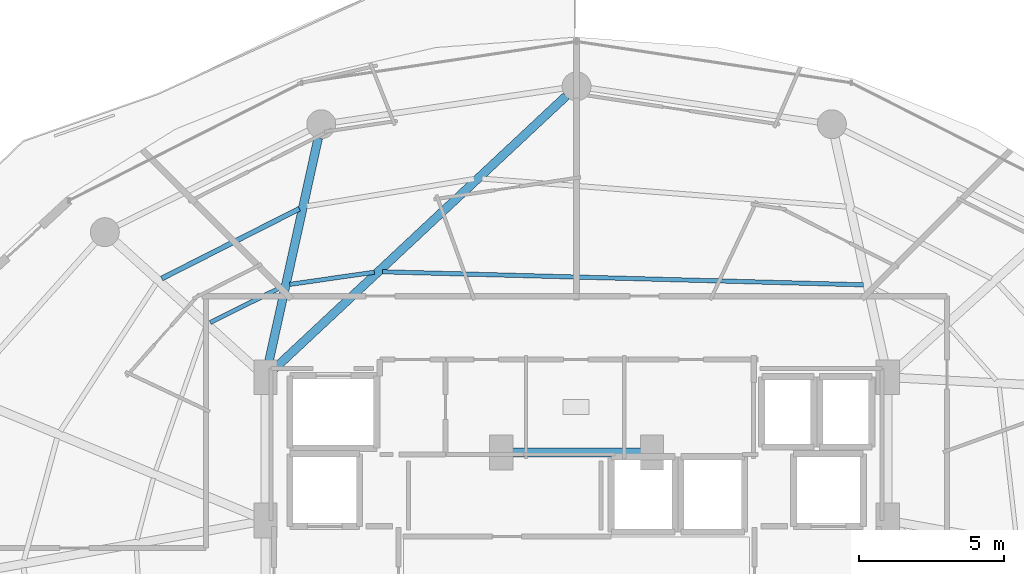
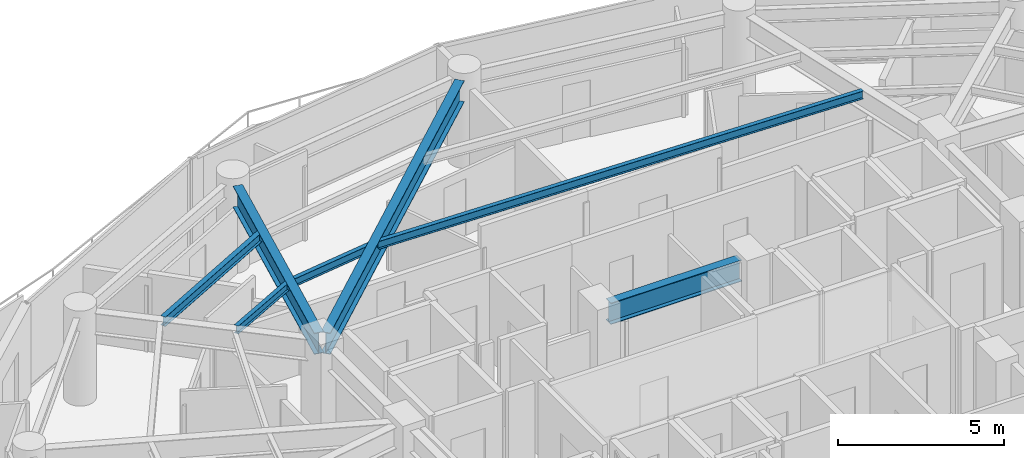
# One storey, part 10 of 31: 7 beams.
"""IFC4 building model written with IfcOpenShell, lengths in metres."""

import ifcopenshell
import ifcopenshell.guid

model = None  # the IFC model being written
_history = None  # IfcOwnerHistory: only IFC2X3 demands one
_inside = {}  # id of a spatial element -> (the spatial element, [elements in it])
_under = {}  # id of a project, library or spatial element -> (it, [spatial elements below it])
_declared = {}  # id of a project -> (the project, [libraries it declares])
_typed = {}  # id of a type object -> (the type object, [elements of that type])
_made_of = {}  # id of a material, layer set ... -> (it, [elements and type objects made of it])


def new_model(schema):
    """Start an empty IFC model of exactly this schema.

    Asked for "IFC4X3", IfcOpenShell would pick the latest addendum, in which some entities
    have other attributes; the version numbers below select the first issue.
    IFC2X3 requires an IfcOwnerHistory on every rooted entity: one is made here for all.
    """
    global model, _history
    if schema == "IFC4X3":
        model = ifcopenshell.file(schema_version=(4, 3, 0, 0))
    else:
        model = ifcopenshell.file(schema=schema)
    _inside.clear()
    _under.clear()
    _declared.clear()
    _typed.clear()
    _made_of.clear()
    _history = None
    if model.schema == "IFC2X3":
        org = make("IfcOrganization", Name="unknown")
        user = make(
            "IfcPersonAndOrganization",
            ThePerson=make("IfcPerson", FamilyName="unknown"),
            TheOrganization=org,
        )
        app = make(
            "IfcApplication",
            ApplicationDeveloper=org,
            Version="unknown",
            ApplicationFullName="unknown",
            ApplicationIdentifier="unknown",
        )
        _history = make(
            "IfcOwnerHistory",
            OwningUser=user,
            OwningApplication=app,
            ChangeAction="ADDED",
            CreationDate=0,
        )
    return model


def make(cls, **values):
    """One entity of the class cls with the attributes given. An attribute that is None is left unset."""
    return model.create_entity(
        cls, **{name: value for name, value in values.items() if value is not None}
    )


def rooted(cls, **values):
    """An entity with a GlobalId (a new one), such as an element, a storey or a relation."""
    return make(cls, GlobalId=ifcopenshell.guid.new(), OwnerHistory=_history, **values)


def si_unit(unit_type, name, prefix=None):
    """IfcSIUnit, for example si_unit("LENGTHUNIT", "METRE", prefix="MILLI")."""
    return make("IfcSIUnit", UnitType=unit_type, Prefix=prefix, Name=name)


def assignment(units):
    """IfcUnitAssignment: the units of a project."""
    return None if units is None else make("IfcUnitAssignment", Units=units)


def point(xyz):
    """IfcCartesianPoint."""
    return None if xyz is None else make("IfcCartesianPoint", Coordinates=xyz)


def direction(xyz):
    """IfcDirection."""
    return None if xyz is None else make("IfcDirection", DirectionRatios=xyz)


def frame(location, z_axis=None, x_axis=None):
    """IfcAxis2Placement3D, a coordinate frame: its origin and axes. An axis left out is left unset."""
    return make(
        "IfcAxis2Placement3D",
        Location=point(location),
        Axis=direction(z_axis),
        RefDirection=direction(x_axis),
    )


def frame_2d(location, x_axis=None):
    """IfcAxis2Placement2D, a coordinate frame in the plane: its origin and x axis."""
    return make(
        "IfcAxis2Placement2D", Location=point(location), RefDirection=direction(x_axis)
    )


def origin():
    """The frame at (0, 0, 0) with its axes left unset."""
    return frame((0.0, 0.0, 0.0))


def origin_2d():
    """The frame at (0, 0) in the plane with its x axis left unset."""
    return frame_2d((0.0, 0.0))


def place(relative_to, where):
    """IfcLocalPlacement: puts the frame where relative to a parent placement (None: the world)."""
    return make(
        "IfcLocalPlacement", PlacementRelTo=relative_to, RelativePlacement=where
    )


def context(
    kind, dimensions, precision=None, world=None, true_north=None, identifier=None
):
    """IfcGeometricRepresentationContext, for example the 3D "Model" context."""
    return make(
        "IfcGeometricRepresentationContext",
        ContextIdentifier=identifier,
        ContextType=kind,
        CoordinateSpaceDimension=dimensions,
        Precision=precision,
        WorldCoordinateSystem=world,
        TrueNorth=true_north,
    )


def subcontext(parent, identifier, kind, view, scale=None):
    """IfcGeometricRepresentationSubContext, for example "Body" below "Model"."""
    return make(
        "IfcGeometricRepresentationSubContext",
        ContextIdentifier=identifier,
        ContextType=kind,
        ParentContext=parent,
        TargetScale=scale,
        TargetView=view,
    )


def project(units=None, contexts=None):
    """IfcProject with its units and contexts."""
    return rooted(
        "IfcProject",
        Name="project",
        RepresentationContexts=contexts,
        UnitsInContext=assignment(units),
    )


def spatial(cls, under=None, at=None, **own):
    """A site, building, storey or space (cls), placed at a placement, below another one or the project."""
    s = rooted(cls, ObjectPlacement=at, **own)
    if under is not None:
        _under.setdefault(under.id(), (under, []))[1].append(s)
    return s


def profile(cls, at=None, kind="AREA", **sizes):
    """A parametric profile (cls). Its sizes go by their IFC names, for example OverallWidth=200.0."""
    return make(cls, ProfileType=kind, Position=at, **sizes)


def i_section(**sizes):
    """IfcIShapeProfileDef."""
    return profile("IfcIShapeProfileDef", **sizes)


def extrude(swept, where, along, depth):
    """IfcExtrudedAreaSolid: the profile swept, set in the frame where, extruded along a direction by depth."""
    return make(
        "IfcExtrudedAreaSolid",
        SweptArea=swept,
        Position=where,
        ExtrudedDirection=direction(along),
        Depth=depth,
    )


def shape(context_of_items, identifier, shape_type, items):
    """IfcShapeRepresentation: the items that make up one representation, for example the "Body"."""
    return make(
        "IfcShapeRepresentation",
        ContextOfItems=context_of_items,
        RepresentationIdentifier=identifier,
        RepresentationType=shape_type,
        Items=items,
    )


def material(Name=None, Category=None):
    """IfcMaterial."""
    return make("IfcMaterial", Name=Name, Category=Category)


def material_profile(
    of_material, cross_section, Name=None, Category=None, Priority=None
):
    """IfcMaterialProfile: a cross section and its material."""
    return make(
        "IfcMaterialProfile",
        Name=Name,
        Material=of_material,
        Profile=cross_section,
        Priority=Priority,
        Category=Category,
    )


def profile_set(profiles, Name=None, composite=None):
    """IfcMaterialProfileSet."""
    return make(
        "IfcMaterialProfileSet",
        Name=Name,
        MaterialProfiles=profiles,
        CompositeProfile=composite,
    )


def made_of(thing, what):
    """Note that an element or type object is made of a material, layer set ...; save() writes the relation."""
    if what is not None:
        _made_of.setdefault(what.id(), (what, []))[1].append(thing)
    return thing


def type_object(cls, material=None, **own):
    """A type object (cls), such as IfcWallType, which elements share."""
    return made_of(rooted(cls, **own), material)


def element(
    cls,
    number,
    at=None,
    inside=None,
    cuts=None,
    type_object=None,
    material=None,
    context=None,
    identifier="Body",
    shape_type=None,
    held_by="IfcProductDefinitionShape",
    body=None,
    shapes=None,
    **own,
):
    """One element of the class cls, such as IfcWall. Its Tag is "e" and its number.

    at: its placement. inside: the storey or other place that contains it. cuts: it is an
    opening in that element (IfcRelVoidsElement). A single representation is given by context,
    identifier, shape_type and body (its items); several are given by shapes. held_by: the class
    of the entity that holds the representations. save() writes the other relations.
    """
    e = rooted(cls, Tag="e%d" % number, ObjectPlacement=at, **own)
    if body is not None:
        shapes = [shape(context, identifier, shape_type, body)]
    if shapes is not None:
        e.Representation = make(held_by, Representations=shapes)
    if inside is not None:
        _inside.setdefault(inside.id(), (inside, []))[1].append(e)
    if cuts is not None:
        rooted(
            "IfcRelVoidsElement", RelatingBuildingElement=cuts, RelatedOpeningElement=e
        )
    if type_object is not None:
        _typed.setdefault(type_object.id(), (type_object, []))[1].append(e)
    return made_of(e, material)


def aggregate(whole, parts):
    """IfcRelAggregates: a whole, such as a stair, and the parts it consists of."""
    return rooted("IfcRelAggregates", RelatingObject=whole, RelatedObjects=parts)


def save(model, path):
    """Write the relations noted so far, then the file.

    IfcRelAggregates (storeys below a building ...), IfcRelContainedInSpatialStructure (elements
    in a storey), IfcRelDefinesByType, IfcRelAssociatesMaterial and IfcRelDeclares: one each for
    every whole, place, type object, material and project.
    """
    for whole, parts in _under.values():
        aggregate(whole, parts)
    for where, things in _inside.values():
        rooted(
            "IfcRelContainedInSpatialStructure",
            RelatedElements=things,
            RelatingStructure=where,
        )
    for kind, things in _typed.values():
        rooted("IfcRelDefinesByType", RelatedObjects=things, RelatingType=kind)
    for what, things in _made_of.values():
        rooted("IfcRelAssociatesMaterial", RelatedObjects=things, RelatingMaterial=what)
    for by, libraries in _declared.values():
        rooted("IfcRelDeclares", RelatingContext=by, RelatedDefinitions=libraries)
    model.write(path)


model = new_model("IFC4")

# Units and contexts
model_context = context("Model", 3, precision=1e-05, world=origin(), true_north=direction((0.0, 1.0)))
body_context = subcontext(model_context, "Body", "Model", "MODEL_VIEW")
ifc_project = project(units=[si_unit("LENGTHUNIT", "METRE"), si_unit("AREAUNIT", "SQUARE_METRE"), si_unit("VOLUMEUNIT", "CUBIC_METRE"), si_unit("PLANEANGLEUNIT", "RADIAN"), si_unit("MASSUNIT", "GRAM", prefix="KILO")], contexts=[model_context])

# Site, building, storey
site_placement = place(None, origin())
site = spatial("IfcSite", under=ifc_project, at=site_placement, CompositionType="ELEMENT")
building_placement = place(site_placement, origin())
building = spatial("IfcBuilding", under=site, at=building_placement, Name="Vorneva Point Tower", CompositionType="ELEMENT")
storey_placement = place(building_placement, frame((0.0, 0.0, 136.10009765625)))
storey = spatial("IfcBuildingStorey", under=building, at=storey_placement, Name="L36", CompositionType="ELEMENT", Elevation=136.10009765625)

# Beams
ifc_material = material(Name="Steel S355", Category="steel")
ifc_material_profile_1 = material_profile(ifc_material, i_section(OverallWidth=0.300048828125, OverallDepth=0.7880859375, WebThickness=0.014404296875, FlangeThickness=0.02197265625, at=origin_2d()), Name="80Sh1")
ifc_profile_set_1 = profile_set([ifc_material_profile_1], Name="Steel S355")
beam_type_1 = type_object("IfcBeamType", Name="BM-GRD-80Sh1", PredefinedType="USERDEFINED", material=ifc_profile_set_1)
beam_1_placement = place(storey_placement, frame((37.6435546875, 42.86669921875, 2.845947265625), z_axis=(-0.730490907119, -0.682922422107, 0.0), x_axis=(0.682922422107, -0.730490907119, 0.0)))
element("IfcBeam", 1, at=beam_1_placement, inside=storey, type_object=beam_type_1, Name="L36 Radial Primary Girder 05", ObjectType="GIRDER", PredefinedType="USERDEFINED", context=body_context, shape_type="SweptSolid", body=[
    extrude(i_section(OverallWidth=0.300048828125, OverallDepth=0.7880859375, WebThickness=0.014404296875, FlangeThickness=0.02197265625, at=origin_2d()), origin(), (0.0, 0.0, 1.0), 13.88818359375),
])
beam_2_placement = place(storey_placement, frame((29.073974609375, 41.414306640625, 2.845947265625), z_axis=(-0.215520500859, -0.976499315775, 0.0), x_axis=(0.976499315775, -0.215520500859, 0.0)))
element("IfcBeam", 2, at=beam_2_placement, inside=storey, type_object=beam_type_1, Name="L36 Radial Primary Girder 06", ObjectType="GIRDER", PredefinedType="USERDEFINED", context=body_context, shape_type="SweptSolid", body=[
    extrude(i_section(OverallWidth=0.300048828125, OverallDepth=0.7880859375, WebThickness=0.014404296875, FlangeThickness=0.02197265625, at=origin_2d()), origin(), (0.0, 0.0, 1.0), 8.123291015625),
])
beam_3_placement = place(storey_placement, frame((35.719970703125, 30.550048828125, 2.845947265625), z_axis=(1.0, 0.0, 0.0), x_axis=(0.0, 1.0, 0.0)))
element("IfcBeam", 3, at=beam_3_placement, inside=storey, type_object=beam_type_1, Name="L36 Core Tie Girder CT8", ObjectType="GIRDER", PredefinedType="USERDEFINED", context=body_context, shape_type="SweptSolid", body=[
    extrude(i_section(OverallWidth=0.300048828125, OverallDepth=0.7880859375, WebThickness=0.014404296875, FlangeThickness=0.02197265625, at=origin_2d()), origin(), (0.0, 0.0, 1.0), 4.56005859375),
])
ifc_material_profile_2 = material_profile(ifc_material, i_section(OverallWidth=0.14892578125, OverallDepth=0.298095703125, WebThickness=0.005615234375, FlangeThickness=0.008056640625, at=origin_2d()), Name="30B1")
ifc_profile_set_2 = profile_set([ifc_material_profile_2], Name="Steel S355")
beam_type_2 = type_object("IfcBeamType", Name="BM-JST-30B1", PredefinedType="JOIST", material=ifc_profile_set_2)
beam_4_placement = place(storey_placement, frame((47.908447265625, 36.34130859375, 3.0908203125), z_axis=(-0.999630939396, 0.027165879367, 0.0), x_axis=(-0.027165879367, -0.999630939396, 0.0)))
element("IfcBeam", 4, at=beam_4_placement, inside=storey, type_object=beam_type_2, Name="L36 Secondary Floor Beam 2.04", PredefinedType="JOIST", context=body_context, shape_type="SweptSolid", body=[
    extrude(i_section(OverallWidth=0.14892578125, OverallDepth=0.298095703125, WebThickness=0.005615234375, FlangeThickness=0.008056640625, at=origin_2d()), origin(), (0.0, 0.0, 1.0), 16.6259765625),
])
beam_5_placement = place(storey_placement, frame((31.013916015625, 36.777099609375, 3.0908203125), z_axis=(-0.989843421771, -0.142161880882, 0.0), x_axis=(0.142161880882, -0.989843421771, 0.0)))
element("IfcBeam", 5, at=beam_5_placement, inside=storey, type_object=beam_type_2, Name="L36 Secondary Floor Beam 2.05", PredefinedType="JOIST", context=body_context, shape_type="SweptSolid", body=[
    extrude(i_section(OverallWidth=0.14892578125, OverallDepth=0.298095703125, WebThickness=0.005615234375, FlangeThickness=0.008056640625, at=origin_2d()), origin(), (0.0, 0.0, 1.0), 2.953857421875),
])
beam_6_placement = place(storey_placement, frame((27.829833984375, 36.2763671875, 3.0908203125), z_axis=(-0.895831018968, -0.444394853092, 0.0), x_axis=(0.444394853092, -0.895831018968, 0.0)))
element("IfcBeam", 6, at=beam_6_placement, inside=storey, type_object=beam_type_2, Name="L36 Secondary Floor Beam 2.06", PredefinedType="JOIST", context=body_context, shape_type="SweptSolid", body=[
    extrude(i_section(OverallWidth=0.14892578125, OverallDepth=0.298095703125, WebThickness=0.005615234375, FlangeThickness=0.008056640625, at=origin_2d()), origin(), (0.0, 0.0, 1.0), 2.77392578125),
])
ifc_material_profile_3 = material_profile(ifc_material, i_section(OverallWidth=0.174072265625, OverallDepth=0.345947265625, WebThickness=0.006103515625, FlangeThickness=0.009033203125, at=origin_2d()), Name="35B1")
ifc_profile_set_3 = profile_set([ifc_material_profile_3], Name="Steel S355")
beam_type_3 = type_object("IfcBeamType", Name="BM-SEC-35B1", PredefinedType="BEAM", material=ifc_profile_set_3)
beam_7_placement = place(storey_placement, frame((28.425537109375, 38.97216796875, 3.06689453125), z_axis=(-0.891979436535, -0.452075972375, 0.0), x_axis=(0.452075972375, -0.891979436535, 0.0)))
element("IfcBeam", 7, at=beam_7_placement, inside=storey, type_object=beam_type_3, Name="L36 Secondary Floor Beam 1.06", PredefinedType="BEAM", context=body_context, shape_type="SweptSolid", body=[
    extrude(i_section(OverallWidth=0.174072265625, OverallDepth=0.345947265625, WebThickness=0.006103515625, FlangeThickness=0.009033203125, at=origin_2d()), origin(), (0.0, 0.0, 1.0), 5.335205078125),
])

save(model, "model.ifc")
